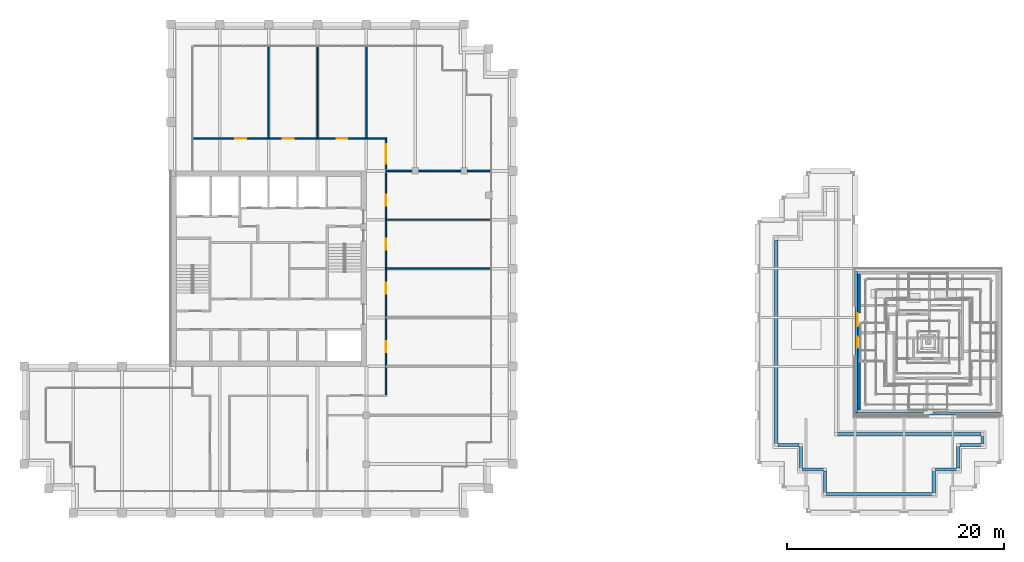
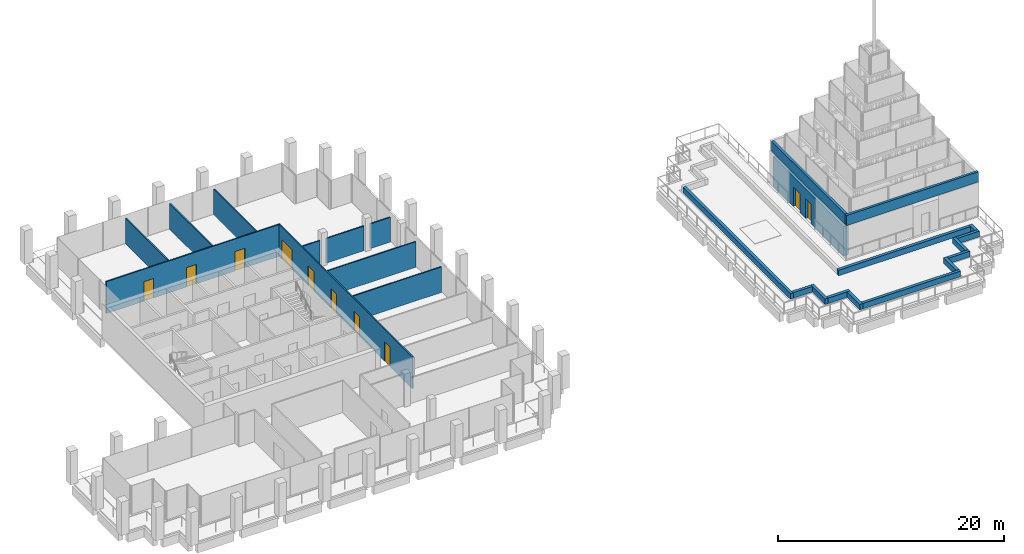
# One storey, part 56 of 62: 25 walls, 10 doors, 10 openings.
"""IFC4 building model written with IfcOpenShell, lengths in metres."""

from ifc_helpers import new_model, si_unit, direction, frame, frame_2d, origin, place, context, subcontext, project, spatial, rectangle, extrude, material, layer, layer_set, type_object, element, fill, save


model = new_model("IFC4")

# Units and contexts
model_context = context("Model", 3, precision=1e-05, world=origin(), true_north=direction((0.0, 1.0)))
body_context = subcontext(model_context, "Body", "Model", "MODEL_VIEW")
ifc_project = project(units=[si_unit("LENGTHUNIT", "METRE"), si_unit("AREAUNIT", "SQUARE_METRE"), si_unit("VOLUMEUNIT", "CUBIC_METRE"), si_unit("PLANEANGLEUNIT", "RADIAN"), si_unit("MASSUNIT", "GRAM", prefix="KILO")], contexts=[model_context])

# Site, building, storey
site_placement = place(None, origin())
site = spatial("IfcSite", under=ifc_project, at=site_placement, CompositionType="ELEMENT")
building_placement = place(site_placement, origin())
building = spatial("IfcBuilding", under=site, at=building_placement, Name="Altepetl Exchange Towers", CompositionType="ELEMENT")
storey_placement = place(building_placement, frame((0.0, 0.0, 210.0)))
storey = spatial("IfcBuildingStorey", under=building, at=storey_placement, Name="L53", CompositionType="ELEMENT", Elevation=210.0)

# Wall, openings, doors
ifc_material_1 = material(Name="Concrete C70/85", Category="concrete")
ifc_layer_1 = layer(ifc_material_1, 0.5)
ifc_layer_set_1 = layer_set([ifc_layer_1], Name="Concrete C70/85")
wall_type_1 = type_object("IfcWallType", Name="Core wall 500 reinforced concrete external", PredefinedType="SHEAR", material=ifc_layer_set_1)
wall_1_placement = place(storey_placement, frame((103.75, 36.5, 0.0), z_axis=(0.0, 0.0, 1.0), x_axis=(0.0, 1.0, 0.0)))
wall_1 = element("IfcWall", 1, at=wall_1_placement, inside=storey, type_object=wall_type_1, Name="wall:B:L53:K-coreW", PredefinedType="SHEAR", context=body_context, shape_type="SweptSolid", body=[
    extrude(rectangle(XDim=12.5, YDim=0.5, at=frame_2d((6.25, 0.0))), origin(), (0.0, 0.0, 1.0), 3.199951171875),
])
opening_1_placement = place(wall_1_placement, frame((7.699951171875, 0.0, 0.0)))
opening_1 = element("IfcOpeningElement", 2, at=opening_1_placement, cuts=wall_1, Name="Opening L53.B61", PredefinedType="OPENING", context=body_context, shape_type="SweptSolid", body=[
    extrude(rectangle(XDim=1.199951171875, YDim=2.10009765625, at=frame_2d((0.60009765625, 1.050048828125))), frame((0.0, 0.260009765625, 0.0), z_axis=(0.0, -1.0, 0.0), x_axis=(1.0, 0.0, 0.0)), (0.0, 0.0, 1.0), 0.52001953125),
])
opening_2_placement = place(wall_1_placement, frame((5.72509765625, 0.0, 0.0)))
opening_2 = element("IfcOpeningElement", 3, at=opening_2_placement, cuts=wall_1, Name="Opening L53.B63", PredefinedType="OPENING", context=body_context, shape_type="SweptSolid", body=[
    extrude(rectangle(XDim=1.0, YDim=2.10009765625, at=frame_2d((0.5, 1.050048828125))), frame((0.0, 0.260009765625, 0.0), z_axis=(0.0, -1.0, 0.0), x_axis=(1.0, 0.0, 0.0)), (0.0, 0.0, 1.0), 0.52001953125),
])
ifc_material_2 = material(Name="Steel and timber fire door", Category="steel")
door_type_1 = type_object("IfcDoorType", Name="Fire door 1000 x 2100 stair and lobby", OperationType="SINGLE_SWING_LEFT", PredefinedType="DOOR", material=ifc_material_2)
door_1_placement = place(opening_2_placement, frame((1.0, 0.0, 0.0), x_axis=(-1.0, 0.0, 0.0)))
door_1 = element("IfcDoor", 4, at=door_1_placement, inside=storey, type_object=door_type_1, Name="door:B:L53:K-dS1x", OperationType="SINGLE_SWING_RIGHT", OverallHeight=2.10009765625, OverallWidth=1.0, PredefinedType="DOOR", context=body_context, shape_type="SweptSolid", body=[
    extrude(rectangle(XDim=1.0, YDim=2.10009765625, at=frame_2d((0.5, 1.050048828125))), frame((0.0, 0.02490234375, 0.0), z_axis=(0.0, -1.0, 0.0), x_axis=(1.0, 0.0, 0.0)), (0.0, 0.0, 1.0), 0.050048828125),
])
fill(opening_2, door_1)
door_type_2 = type_object("IfcDoorType", Name="Fire door 1200 x 2100 lobby entry", OperationType="SINGLE_SWING_LEFT", PredefinedType="DOOR", material=ifc_material_2)
door_2_placement = place(opening_1_placement, frame((1.199951171875, 0.0, 0.0), x_axis=(-1.0, 0.0, 0.0)))
door_2 = element("IfcDoor", 5, at=door_2_placement, inside=storey, type_object=door_type_2, Name="door:B:L53:K-dLNW", OperationType="SINGLE_SWING_RIGHT", OverallHeight=2.10009765625, OverallWidth=1.199951171875, PredefinedType="DOOR", context=body_context, shape_type="SweptSolid", body=[
    extrude(rectangle(XDim=1.199951171875, YDim=2.10009765625, at=frame_2d((0.60009765625, 1.050048828125))), frame((0.0, 0.02490234375, 0.0), z_axis=(0.0, -1.0, 0.0), x_axis=(1.0, 0.0, 0.0)), (0.0, 0.0, 1.0), 0.050048828125),
])
fill(opening_1, door_2)

# Walls
ifc_material_3 = material(Name="Gypsum board on steel studs", Category="steel")
ifc_layer_2 = layer(ifc_material_3, 0.125)
ifc_layer_set_2 = layer_set([ifc_layer_2], Name="Gypsum board on steel studs")
wall_type_2 = type_object("IfcWallType", Name="Partition 125 gypsum board on steel studs", PredefinedType="PARTITIONING", material=ifc_layer_set_2)
for number, where, name in (
    (6, (60.300048828125, 49.5, 0.0), "wall:A:L53:P08"),
    (7, (60.300048828125, 54.0, 0.0), "wall:A:L53:P09"),
):
    element("IfcWall", number, at=place(storey_placement, frame(where)), inside=storey, type_object=wall_type_2, Name=name, PredefinedType="PARTITIONING", context=body_context, shape_type="SweptSolid", body=[
        extrude(rectangle(XDim=9.599853515625, YDim=0.125, at=frame_2d((4.7998046875, 0.0))), origin(), (0.0, 0.0, 1.0), 2.77197265625),
    ])
wall_2_placement = place(storey_placement, frame((60.300048828125, 58.5, 0.0)))
element("IfcWall", 8, at=wall_2_placement, inside=storey, type_object=wall_type_2, Name="wall:A:L53:P10", PredefinedType="PARTITIONING", context=body_context, shape_type="SweptSolid", body=[
    extrude(rectangle(XDim=2.39990234375, YDim=0.125, at=frame_2d((1.199951171875, 0.0))), origin(), (0.0, 0.0, 1.0), 2.676025390625),
])
wall_3_placement = place(storey_placement, frame((63.300048828125, 58.5, 0.0)))
element("IfcWall", 9, at=wall_3_placement, inside=storey, type_object=wall_type_2, Name="wall:A:L53:P11", PredefinedType="PARTITIONING", context=body_context, shape_type="SweptSolid", body=[
    extrude(rectangle(XDim=3.89990234375, YDim=0.125, at=frame_2d((1.949951171875, 0.0))), origin(), (0.0, 0.0, 1.0), 2.676025390625),
])
wall_4_placement = place(storey_placement, frame((67.800048828125, 58.5, 0.0)))
element("IfcWall", 10, at=wall_4_placement, inside=storey, type_object=wall_type_2, Name="wall:A:L53:P12", PredefinedType="PARTITIONING", context=body_context, shape_type="SweptSolid", body=[
    extrude(rectangle(XDim=2.099853515625, YDim=0.125, at=frame_2d((1.0498046875, 0.0))), origin(), (0.0, 0.0, 1.0), 2.676025390625),
])

# Wall, openings, doors
wall_5_placement = place(storey_placement, frame((42.60009765625, 61.5, 0.0)))
wall_5 = element("IfcWall", 11, at=wall_5_placement, inside=storey, type_object=wall_type_2, Name="wall:A:L53:P13", PredefinedType="PARTITIONING", context=body_context, shape_type="SweptSolid", body=[
    extrude(rectangle(XDim=17.762451171875, YDim=0.125, at=frame_2d((8.88134765625, 0.0))), origin(), (0.0, 0.0, 1.0), 3.449951171875),
])
opening_3_placement = place(wall_5_placement, frame((13.14990234375, 0.0, 0.0)))
opening_3 = element("IfcOpeningElement", 12, at=opening_3_placement, cuts=wall_5, Name="Opening L53.A10", PredefinedType="OPENING", context=body_context, shape_type="SweptSolid", body=[
    extrude(rectangle(XDim=1.0, YDim=2.10009765625, at=frame_2d((0.5, 1.050048828125))), frame((0.0, 0.072509765625, 0.0), z_axis=(0.0, -1.0, 0.0), x_axis=(1.0, 0.0, 0.0)), (0.0, 0.0, 1.0), 0.14501953125),
])
opening_4_placement = place(wall_5_placement, frame((8.195068359375, 0.0, 0.0)))
opening_4 = element("IfcOpeningElement", 13, at=opening_4_placement, cuts=wall_5, Name="Opening L53.A11", PredefinedType="OPENING", context=body_context, shape_type="SweptSolid", body=[
    extrude(rectangle(XDim=1.0, YDim=2.10009765625, at=frame_2d((0.5, 1.050048828125))), frame((0.0, 0.072509765625, 0.0), z_axis=(0.0, -1.0, 0.0), x_axis=(1.0, 0.0, 0.0)), (0.0, 0.0, 1.0), 0.14501953125),
])
opening_5_placement = place(wall_5_placement, frame((3.824951171875, 0.0, 0.0)))
opening_5 = element("IfcOpeningElement", 14, at=opening_5_placement, cuts=wall_5, Name="Opening L53.A12", PredefinedType="OPENING", context=body_context, shape_type="SweptSolid", body=[
    extrude(rectangle(XDim=1.0, YDim=2.10009765625, at=frame_2d((0.5, 1.050048828125))), frame((0.0, 0.072509765625, 0.0), z_axis=(0.0, -1.0, 0.0), x_axis=(1.0, 0.0, 0.0)), (0.0, 0.0, 1.0), 0.14501953125),
])
door_type_3 = type_object("IfcDoorType", Name="Fire door 1000 x 2100 single leaf", OperationType="SINGLE_SWING_LEFT", PredefinedType="DOOR", material=ifc_material_2)
door_3_placement = place(opening_3_placement, origin())
door_3 = element("IfcDoor", 15, at=door_3_placement, inside=storey, type_object=door_type_3, Name="door:A:L53:10", OperationType="SINGLE_SWING_LEFT", OverallHeight=2.10009765625, OverallWidth=1.0, PredefinedType="DOOR", context=body_context, shape_type="SweptSolid", body=[
    extrude(rectangle(XDim=1.0, YDim=2.10009765625, at=frame_2d((0.5, 1.050048828125))), frame((0.0, 0.02490234375, 0.0), z_axis=(0.0, -1.0, 0.0), x_axis=(1.0, 0.0, 0.0)), (0.0, 0.0, 1.0), 0.050048828125),
])
fill(opening_3, door_3)
door_4_placement = place(opening_4_placement, origin())
door_4 = element("IfcDoor", 16, at=door_4_placement, inside=storey, type_object=door_type_3, Name="door:A:L53:11", OperationType="SINGLE_SWING_RIGHT", OverallHeight=2.10009765625, OverallWidth=1.0, PredefinedType="DOOR", context=body_context, shape_type="SweptSolid", body=[
    extrude(rectangle(XDim=1.0, YDim=2.10009765625, at=frame_2d((0.5, 1.050048828125))), frame((0.0, 0.02490234375, 0.0), z_axis=(0.0, -1.0, 0.0), x_axis=(1.0, 0.0, 0.0)), (0.0, 0.0, 1.0), 0.050048828125),
])
fill(opening_4, door_4)
door_5_placement = place(opening_5_placement, origin())
door_5 = element("IfcDoor", 17, at=door_5_placement, inside=storey, type_object=door_type_3, Name="door:A:L53:12", OperationType="SINGLE_SWING_LEFT", OverallHeight=2.10009765625, OverallWidth=1.0, PredefinedType="DOOR", context=body_context, shape_type="SweptSolid", body=[
    extrude(rectangle(XDim=1.0, YDim=2.10009765625, at=frame_2d((0.5, 1.050048828125))), frame((0.0, 0.02490234375, 0.0), z_axis=(0.0, -1.0, 0.0), x_axis=(1.0, 0.0, 0.0)), (0.0, 0.0, 1.0), 0.050048828125),
])
fill(opening_5, door_5)

# Walls
for number, where, z_axis, x_axis, name in (
    (18, (49.5, 61.5, 0.0), (0.0, 0.0, 1.0), (0.0, 1.0, 0.0), "wall:A:L53:P17"),
    (19, (54.0, 61.5, 0.0), (0.0, 0.0, 1.0), (0.0, 1.0, 0.0), "wall:A:L53:P19"),
    (20, (58.5, 61.5, 0.0), (0.0, 0.0, 1.0), (0.0, 1.0, 0.0), "wall:A:L53:P21"),
):
    element("IfcWall", number, at=place(storey_placement, frame(where, z_axis=z_axis, x_axis=x_axis)), inside=storey, type_object=wall_type_2, Name=name, PredefinedType="PARTITIONING", context=body_context, shape_type="SweptSolid", body=[
        extrude(rectangle(XDim=8.39990234375, YDim=0.125, at=frame_2d((4.199951171875, 0.0))), origin(), (0.0, 0.0, 1.0), 2.77197265625),
    ])

# Wall, openings, doors
wall_6_placement = place(storey_placement, frame((60.300048828125, 37.862548828125, 0.0), z_axis=(0.0, 0.0, 1.0), x_axis=(0.0, 1.0, 0.0)))
wall_6 = element("IfcWall", 21, at=wall_6_placement, inside=storey, type_object=wall_type_2, Name="wall:A:L53:P22", PredefinedType="PARTITIONING", context=body_context, shape_type="SweptSolid", body=[
    extrude(rectangle(XDim=23.574951171875, YDim=0.125, at=frame_2d((11.78759765625, 0.0))), origin(), (0.0, 0.0, 1.0), 3.449951171875),
])
opening_6_placement = place(wall_6_placement, frame((3.9326171875, 0.0, 0.0)))
opening_6 = element("IfcOpeningElement", 22, at=opening_6_placement, cuts=wall_6, Name="Opening L53.A05", PredefinedType="OPENING", context=body_context, shape_type="SweptSolid", body=[
    extrude(rectangle(XDim=1.0, YDim=2.10009765625, at=frame_2d((0.5, 1.050048828125))), frame((0.0, 0.072509765625, 0.0), z_axis=(0.0, -1.0, 0.0), x_axis=(1.0, 0.0, 0.0)), (0.0, 0.0, 1.0), 0.14501953125),
])
opening_7_placement = place(wall_6_placement, frame((9.342529296875, 0.0, 0.0)))
opening_7 = element("IfcOpeningElement", 23, at=opening_7_placement, cuts=wall_6, Name="Opening L53.A06", PredefinedType="OPENING", context=body_context, shape_type="SweptSolid", body=[
    extrude(rectangle(XDim=1.0, YDim=2.10009765625, at=frame_2d((0.5, 1.050048828125))), frame((0.0, 0.072509765625, 0.0), z_axis=(0.0, -1.0, 0.0), x_axis=(1.0, 0.0, 0.0)), (0.0, 0.0, 1.0), 0.14501953125),
])
opening_8_placement = place(wall_6_placement, frame((13.387451171875, 0.0, 0.0)))
opening_8 = element("IfcOpeningElement", 24, at=opening_8_placement, cuts=wall_6, Name="Opening L53.A07", PredefinedType="OPENING", context=body_context, shape_type="SweptSolid", body=[
    extrude(rectangle(XDim=1.0, YDim=2.10009765625, at=frame_2d((0.5, 1.050048828125))), frame((0.0, 0.072509765625, 0.0), z_axis=(0.0, -1.0, 0.0), x_axis=(1.0, 0.0, 0.0)), (0.0, 0.0, 1.0), 0.14501953125),
])
opening_9_placement = place(wall_6_placement, frame((17.4326171875, 0.0, 0.0)))
opening_9 = element("IfcOpeningElement", 25, at=opening_9_placement, cuts=wall_6, Name="Opening L53.A08", PredefinedType="OPENING", context=body_context, shape_type="SweptSolid", body=[
    extrude(rectangle(XDim=1.0, YDim=2.10009765625, at=frame_2d((0.5, 1.050048828125))), frame((0.0, 0.072509765625, 0.0), z_axis=(0.0, -1.0, 0.0), x_axis=(1.0, 0.0, 0.0)), (0.0, 0.0, 1.0), 0.14501953125),
])
opening_10_placement = place(wall_6_placement, frame((21.29052734375, 0.0, 0.0)))
opening_10 = element("IfcOpeningElement", 26, at=opening_10_placement, cuts=wall_6, Name="Opening L53.A09", PredefinedType="OPENING", context=body_context, shape_type="SweptSolid", body=[
    extrude(rectangle(XDim=1.800048828125, YDim=2.10009765625, at=frame_2d((0.89990234375, 1.050048828125))), frame((0.0, 0.072509765625, 0.0), z_axis=(0.0, -1.0, 0.0), x_axis=(1.0, 0.0, 0.0)), (0.0, 0.0, 1.0), 0.14501953125),
])
door_6_placement = place(opening_6_placement, frame((1.0, 0.0, 0.0), x_axis=(-1.0, 0.0, 0.0)))
door_6 = element("IfcDoor", 27, at=door_6_placement, inside=storey, type_object=door_type_3, Name="door:A:L53:05", OperationType="SINGLE_SWING_LEFT", OverallHeight=2.10009765625, OverallWidth=1.0, PredefinedType="DOOR", context=body_context, shape_type="SweptSolid", body=[
    extrude(rectangle(XDim=1.0, YDim=2.10009765625, at=frame_2d((0.5, 1.050048828125))), frame((0.0, 0.02490234375, 0.0), z_axis=(0.0, -1.0, 0.0), x_axis=(1.0, 0.0, 0.0)), (0.0, 0.0, 1.0), 0.050048828125),
])
fill(opening_6, door_6)
door_7_placement = place(opening_7_placement, frame((1.0, 0.0, 0.0), x_axis=(-1.0, 0.0, 0.0)))
door_7 = element("IfcDoor", 28, at=door_7_placement, inside=storey, type_object=door_type_3, Name="door:A:L53:06", OperationType="SINGLE_SWING_RIGHT", OverallHeight=2.10009765625, OverallWidth=1.0, PredefinedType="DOOR", context=body_context, shape_type="SweptSolid", body=[
    extrude(rectangle(XDim=1.0, YDim=2.10009765625, at=frame_2d((0.5, 1.050048828125))), frame((0.0, 0.02490234375, 0.0), z_axis=(0.0, -1.0, 0.0), x_axis=(1.0, 0.0, 0.0)), (0.0, 0.0, 1.0), 0.050048828125),
])
fill(opening_7, door_7)
door_8_placement = place(opening_8_placement, frame((1.0, 0.0, 0.0), x_axis=(-1.0, 0.0, 0.0)))
door_8 = element("IfcDoor", 29, at=door_8_placement, inside=storey, type_object=door_type_3, Name="door:A:L53:07", OperationType="SINGLE_SWING_LEFT", OverallHeight=2.10009765625, OverallWidth=1.0, PredefinedType="DOOR", context=body_context, shape_type="SweptSolid", body=[
    extrude(rectangle(XDim=1.0, YDim=2.10009765625, at=frame_2d((0.5, 1.050048828125))), frame((0.0, 0.02490234375, 0.0), z_axis=(0.0, -1.0, 0.0), x_axis=(1.0, 0.0, 0.0)), (0.0, 0.0, 1.0), 0.050048828125),
])
fill(opening_8, door_8)
door_9_placement = place(opening_9_placement, frame((1.0, 0.0, 0.0), x_axis=(-1.0, 0.0, 0.0)))
door_9 = element("IfcDoor", 30, at=door_9_placement, inside=storey, type_object=door_type_3, Name="door:A:L53:08", OperationType="SINGLE_SWING_RIGHT", OverallHeight=2.10009765625, OverallWidth=1.0, PredefinedType="DOOR", context=body_context, shape_type="SweptSolid", body=[
    extrude(rectangle(XDim=1.0, YDim=2.10009765625, at=frame_2d((0.5, 1.050048828125))), frame((0.0, 0.02490234375, 0.0), z_axis=(0.0, -1.0, 0.0), x_axis=(1.0, 0.0, 0.0)), (0.0, 0.0, 1.0), 0.050048828125),
])
fill(opening_9, door_9)
door_type_4 = type_object("IfcDoorType", Name="Fire door 1800 x 2100 double leaf", OperationType="DOUBLE_DOOR_SINGLE_SWING", PredefinedType="DOOR", material=ifc_material_2)
door_10_placement = place(opening_10_placement, frame((1.800048828125, 0.0, 0.0), x_axis=(-1.0, 0.0, 0.0)))
door_10 = element("IfcDoor", 31, at=door_10_placement, inside=storey, type_object=door_type_4, Name="door:A:L53:09", OperationType="DOUBLE_DOOR_SINGLE_SWING", OverallHeight=2.10009765625, OverallWidth=1.800048828125, PredefinedType="DOOR", context=body_context, shape_type="SweptSolid", body=[
    extrude(rectangle(XDim=1.800048828125, YDim=2.10009765625, at=frame_2d((0.89990234375, 1.050048828125))), frame((0.0, 0.02490234375, 0.0), z_axis=(0.0, -1.0, 0.0), x_axis=(1.0, 0.0, 0.0)), (0.0, 0.0, 1.0), 0.050048828125),
])
fill(opening_10, door_10)

# Walls
ifc_material_4 = material(Name="Concrete C30/37", Category="concrete")
ifc_layer_3 = layer(ifc_material_4, 0.300048828125)
ifc_layer_set_3 = layer_set([ifc_layer_3], Name="Concrete C30/37")
wall_type_3 = type_object("IfcWallType", Name="Planter wall 300 concrete", PredefinedType="SOLIDWALL", material=ifc_layer_set_3)
wall_7_placement = place(storey_placement, frame((98.5, 33.39990234375, 0.0), z_axis=(0.0, 0.0, 1.0), x_axis=(0.0, -1.0, 0.0)))
element("IfcWall", 32, at=wall_7_placement, inside=storey, type_object=wall_type_3, Name="Planter bed wall", PredefinedType="SOLIDWALL", context=body_context, shape_type="SweptSolid", body=[
    extrude(rectangle(XDim=2.5498046875, YDim=0.300048828125, at=frame_2d((1.27490234375, 0.0))), origin(), (0.0, 0.0, 1.0), 0.60009765625),
])
wall_8_placement = place(storey_placement, frame((98.64990234375, 31.0, 0.0)))
element("IfcWall", 33, at=wall_8_placement, inside=storey, type_object=wall_type_3, Name="Planter bed wall", PredefinedType="SOLIDWALL", context=body_context, shape_type="SweptSolid", body=[
    extrude(rectangle(XDim=2.25, YDim=0.300048828125, at=frame_2d((1.125, 0.0))), origin(), (0.0, 0.0, 1.0), 0.60009765625),
])
wall_9_placement = place(storey_placement, frame((100.75, 30.85009765625, 0.0), z_axis=(0.0, 0.0, 1.0), x_axis=(0.0, -1.0, 0.0)))
element("IfcWall", 34, at=wall_9_placement, inside=storey, type_object=wall_type_3, Name="Planter bed wall", PredefinedType="SOLIDWALL", context=body_context, shape_type="SweptSolid", body=[
    extrude(rectangle(XDim=2.25, YDim=0.300048828125, at=frame_2d((1.125, 0.0))), origin(), (0.0, 0.0, 1.0), 0.60009765625),
])
wall_10_placement = place(storey_placement, frame((100.89990234375, 28.75, 0.0)))
element("IfcWall", 35, at=wall_10_placement, inside=storey, type_object=wall_type_3, Name="Planter bed wall", PredefinedType="SOLIDWALL", context=body_context, shape_type="SweptSolid", body=[
    extrude(rectangle(XDim=10.0, YDim=0.300048828125, at=frame_2d((5.0, 0.0))), origin(), (0.0, 0.0, 1.0), 0.60009765625),
])
wall_11_placement = place(storey_placement, frame((110.75, 28.89990234375, 0.0), z_axis=(0.0, 0.0, 1.0), x_axis=(0.0, 1.0, 0.0)))
element("IfcWall", 36, at=wall_11_placement, inside=storey, type_object=wall_type_3, Name="Planter bed wall", PredefinedType="SOLIDWALL", context=body_context, shape_type="SweptSolid", body=[
    extrude(rectangle(XDim=2.25, YDim=0.300048828125, at=frame_2d((1.125, 0.0))), origin(), (0.0, 0.0, 1.0), 0.60009765625),
])
wall_12_placement = place(storey_placement, frame((110.89990234375, 31.0, 0.0)))
element("IfcWall", 37, at=wall_12_placement, inside=storey, type_object=wall_type_3, Name="Planter bed wall", PredefinedType="SOLIDWALL", context=body_context, shape_type="SweptSolid", body=[
    extrude(rectangle(XDim=2.25, YDim=0.300048828125, at=frame_2d((1.125, 0.0))), origin(), (0.0, 0.0, 1.0), 0.60009765625),
])
wall_13_placement = place(storey_placement, frame((113.0, 31.14990234375, 0.0), z_axis=(0.0, 0.0, 1.0), x_axis=(0.0, 1.0, 0.0)))
element("IfcWall", 38, at=wall_13_placement, inside=storey, type_object=wall_type_3, Name="Planter bed wall", PredefinedType="SOLIDWALL", context=body_context, shape_type="SweptSolid", body=[
    extrude(rectangle(XDim=2.25, YDim=0.300048828125, at=frame_2d((1.125, 0.0))), origin(), (0.0, 0.0, 1.0), 0.60009765625),
])
wall_14_placement = place(storey_placement, frame((113.14990234375, 33.25, 0.0)))
element("IfcWall", 39, at=wall_14_placement, inside=storey, type_object=wall_type_3, Name="Planter bed wall", PredefinedType="SOLIDWALL", context=body_context, shape_type="SweptSolid", body=[
    extrude(rectangle(XDim=2.25, YDim=0.300048828125, at=frame_2d((1.125, 0.0))), origin(), (0.0, 0.0, 1.0), 0.60009765625),
])
wall_15_placement = place(storey_placement, frame((115.25, 33.39990234375, 0.0), z_axis=(0.0, 0.0, 1.0), x_axis=(0.0, 1.0, 0.0)))
element("IfcWall", 40, at=wall_15_placement, inside=storey, type_object=wall_type_3, Name="Planter bed wall", PredefinedType="SOLIDWALL", context=body_context, shape_type="SweptSolid", body=[
    extrude(rectangle(XDim=1.0, YDim=0.300048828125, at=frame_2d((0.5, 0.0))), origin(), (0.0, 0.0, 1.0), 0.60009765625),
])
wall_16_placement = place(storey_placement, frame((115.10009765625, 34.25, 0.0), z_axis=(0.0, 0.0, 1.0), x_axis=(-1.0, 0.0, 0.0)))
element("IfcWall", 41, at=wall_16_placement, inside=storey, type_object=wall_type_3, Name="Planter bed wall", PredefinedType="SOLIDWALL", context=body_context, shape_type="SweptSolid", body=[
    extrude(rectangle(XDim=13.5, YDim=0.300048828125, at=frame_2d((6.75, 0.0))), origin(), (0.0, 0.0, 1.0), 0.60009765625),
])
wall_17_placement = place(storey_placement, frame((96.25, 52.10009765625, 0.0), z_axis=(0.0, 0.0, 1.0), x_axis=(0.0, -1.0, 0.0)))
element("IfcWall", 42, at=wall_17_placement, inside=storey, type_object=wall_type_3, Name="Planter bed wall", PredefinedType="SOLIDWALL", context=body_context, shape_type="SweptSolid", body=[
    extrude(rectangle(XDim=19.0, YDim=0.300048828125, at=frame_2d((9.5, 0.0))), origin(), (0.0, 0.0, 1.0), 0.60009765625),
])
wall_18_placement = place(storey_placement, frame((96.39990234375, 33.25, 0.0)))
element("IfcWall", 43, at=wall_18_placement, inside=storey, type_object=wall_type_3, Name="Planter bed wall", PredefinedType="SOLIDWALL", context=body_context, shape_type="SweptSolid", body=[
    extrude(rectangle(XDim=1.9501953125, YDim=0.300048828125, at=frame_2d((0.97509765625, 0.0))), origin(), (0.0, 0.0, 1.0), 0.60009765625),
])
ifc_material_5 = material(Name="Cantera limestone cladding", Category="masonry")
ifc_layer_4 = layer(ifc_material_5, 0.25)
ifc_layer_set_4 = layer_set([ifc_layer_4], Name="Cantera limestone cladding")
wall_type_4 = type_object("IfcWallType", Name="Stone parapet 250", PredefinedType="PARAPET", material=ifc_layer_set_4)
wall_19_placement = place(storey_placement, frame((103.5, 36.125, 3.60009765625)))
element("IfcWall", 44, at=wall_19_placement, inside=storey, type_object=wall_type_4, Name="Crown parapet", PredefinedType="PARAPET", context=body_context, shape_type="SweptSolid", body=[
    extrude(rectangle(XDim=13.5, YDim=0.25, at=frame_2d((6.75, 0.0))), origin(), (0.0, 0.0, 1.0), 1.099853515625),
])
wall_20_placement = place(storey_placement, frame((103.625, 49.25, 3.60009765625), z_axis=(0.0, 0.0, 1.0), x_axis=(0.0, -1.0, 0.0)))
element("IfcWall", 45, at=wall_20_placement, inside=storey, type_object=wall_type_4, Name="Crown parapet", PredefinedType="PARAPET", context=body_context, shape_type="SweptSolid", body=[
    extrude(rectangle(XDim=13.0, YDim=0.25, at=frame_2d((6.5, 0.0))), origin(), (0.0, 0.0, 1.0), 1.099853515625),
])

save(model, "model.ifc")
